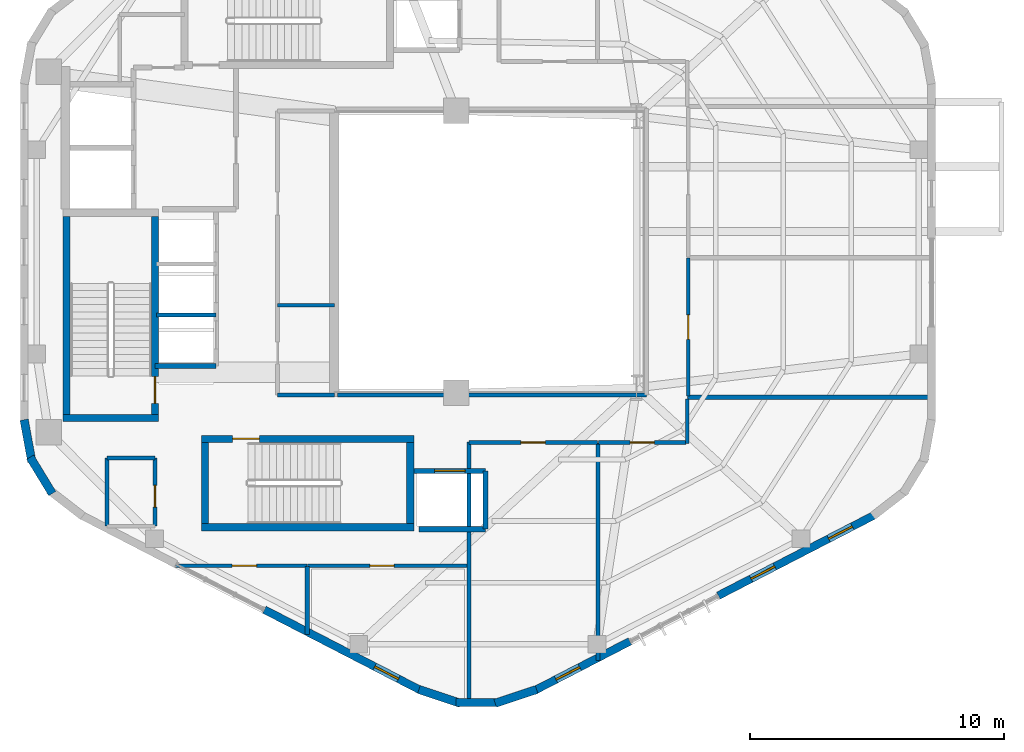
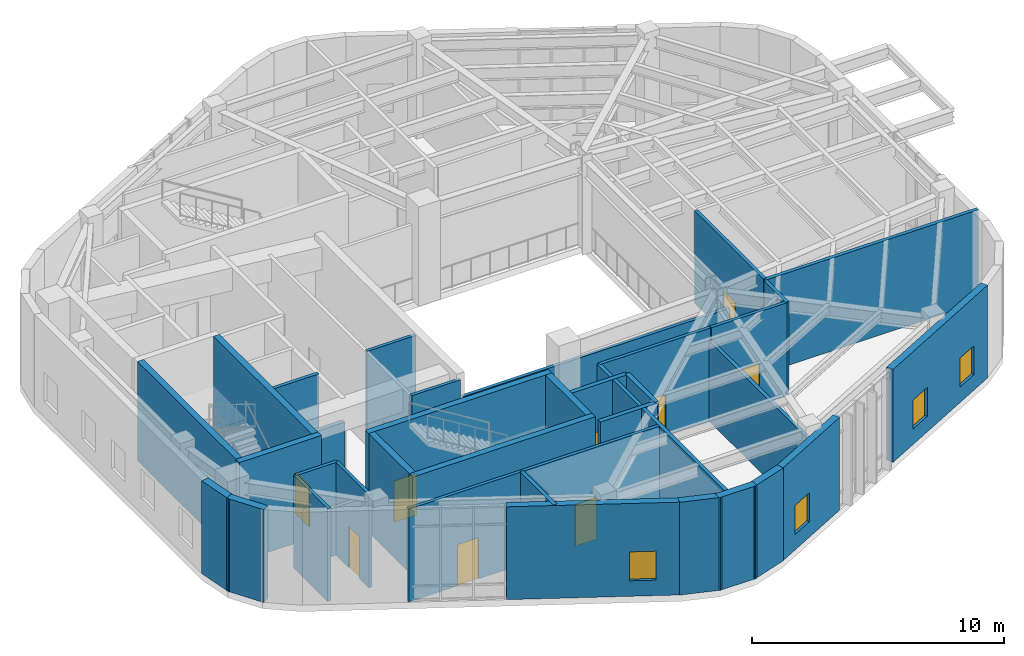
# One storey, part 14 of 18: 36 walls, 9 doors, 4 windows, 13 openings.
"""IFC4 building model written with IfcOpenShell, lengths in metres."""

from ifc_helpers import new_model, si_unit, direction, frame, frame_2d, origin, place, context, subcontext, project, spatial, rectangle, extrude, material, layer, layer_set, type_object, element, fill, save


model = new_model("IFC4")

# Units and contexts
model_context = context("Model", 3, precision=1e-05, world=origin(), true_north=direction((0.0, 1.0)))
body_context = subcontext(model_context, "Body", "Model", "MODEL_VIEW")
ifc_project = project(units=[si_unit("LENGTHUNIT", "METRE"), si_unit("AREAUNIT", "SQUARE_METRE"), si_unit("VOLUMEUNIT", "CUBIC_METRE"), si_unit("PLANEANGLEUNIT", "RADIAN"), si_unit("MASSUNIT", "GRAM", prefix="KILO"), si_unit("THERMODYNAMICTEMPERATUREUNIT", "KELVIN"), si_unit("POWERUNIT", "WATT")], contexts=[model_context])

# Site, building, storey
site_placement = place(None, origin())
site = spatial("IfcSite", under=ifc_project, at=site_placement, CompositionType="ELEMENT")
building_placement = place(site_placement, origin())
building = spatial("IfcBuilding", under=site, at=building_placement, Name="Skarre Station Tower", CompositionType="ELEMENT")
storey_placement = place(building_placement, frame((0.0, 0.0, 270.300048828125)))
storey = spatial("IfcBuildingStorey", under=building, at=storey_placement, Name="L74", CompositionType="ELEMENT", Elevation=270.300048828125)

# Walls
ifc_material_1 = material(Name="Acoustic Steel-Stud Gypsum Partition", Category="steel")
ifc_layer_1 = layer(ifc_material_1, 0.14990234375, Name="Acoustic Steel-Stud Gypsum Partition")
ifc_layer_set_1 = layer_set([ifc_layer_1], Name="Acoustic Steel-Stud Gypsum Partition")
wall_type_1 = type_object("IfcWallType", Name="Fire-Rated Corridor Acoustic Partition 150", PredefinedType="PARTITIONING", material=ifc_layer_set_1)
for number, where, z_axis, x_axis, name in (
    (1, (25.320068359375, 21.89990234375, 0.0), (0.0, 0.0, 1.0), (1.0, 0.0, 0.0), "L74 Interior Partition WL-PT-L74-RC2-M"),
    (2, (25.320068359375, 18.360107421875, 0.0), (0.0, 0.0, 1.0), (1.0, 0.0, 0.0), "L74 Interior Partition WL-PT-L74-RC2-S"),
):
    element("IfcWall", number, at=place(storey_placement, frame(where, z_axis=z_axis, x_axis=x_axis)), inside=storey, type_object=wall_type_1, Name=name, PredefinedType="PARTITIONING", context=body_context, shape_type="SweptSolid", body=[
        extrude(rectangle(XDim=2.22998046875, YDim=0.14990234375, at=frame_2d((1.114990234375, 0.0))), origin(), (0.0, 0.0, 1.0), 4.489990234375),
    ])
wall_1_placement = place(storey_placement, frame((18.60009765625, 15.8798828125, 0.0), z_axis=(0.0, 0.0, 1.0), x_axis=(0.0, -1.0, 0.0)))
element("IfcWall", 3, at=wall_1_placement, inside=storey, type_object=wall_type_1, Name="L74 Interior Partition WL-PT-L74-CSVC-W", PredefinedType="PARTITIONING", context=body_context, shape_type="SweptSolid", body=[
    extrude(rectangle(XDim=2.679931640625, YDim=0.14990234375, at=frame_2d((1.33984375, 0.0))), origin(), (0.0, 0.0, 1.0), 4.489990234375),
])
wall_2_placement = place(storey_placement, frame((18.60009765625, 15.8798828125, 0.0), z_axis=(0.0, 0.0, 1.0), x_axis=(1.0, 0.0, 0.0)))
element("IfcWall", 4, at=wall_2_placement, inside=storey, type_object=wall_type_1, Name="L74 Interior Partition WL-PT-L74-CSVC-N", PredefinedType="PARTITIONING", context=body_context, shape_type="SweptSolid", body=[
    extrude(rectangle(XDim=1.889892578125, YDim=0.14990234375, at=frame_2d((0.94482421875, 0.0))), origin(), (0.0, 0.0, 1.0), 4.489990234375),
])

# Wall, opening, door
wall_3_placement = place(storey_placement, frame((20.489990234375, 13.199951171875, 0.0), z_axis=(0.0, 0.0, 1.0), x_axis=(0.0, 1.0, 0.0)))
wall_3 = element("IfcWall", 5, at=wall_3_placement, inside=storey, type_object=wall_type_1, Name="L74 Interior Partition WL-PT-L74-CSVC-E", PredefinedType="PARTITIONING", context=body_context, shape_type="SweptSolid", body=[
    extrude(rectangle(XDim=2.679931640625, YDim=0.14990234375, at=frame_2d((1.33984375, 0.0))), origin(), (0.0, 0.0, 1.0), 4.489990234375),
])
opening_1_placement = place(wall_3_placement, frame((0.75, 0.0, 0.0)))
opening_1 = element("IfcOpeningElement", 6, at=opening_1_placement, cuts=wall_3, Name="Opening DR-SVC86", PredefinedType="OPENING", context=body_context, shape_type="SweptSolid", body=[
    extrude(rectangle(XDim=0.860107421875, YDim=2.0, at=frame_2d((0.43017578125, 1.0))), frame((0.0, 0.0849609375, 0.0), z_axis=(0.0, -1.0, 0.0), x_axis=(1.0, 0.0, 0.0)), (0.0, 0.0, 1.0), 0.169921875),
])
ifc_material_2 = material(Name="Powder-Coated Hollow-Metal Acoustic Fire Leaf", Category="steel")
door_type_1 = type_object("IfcDoorType", Name="Compact Riser Fire Door FD60 860x2100", OperationType="SINGLE_SWING_LEFT", PredefinedType="DOOR", material=ifc_material_2)
door_1_placement = place(opening_1_placement, origin())
door_1 = element("IfcDoor", 7, at=door_1_placement, inside=storey, type_object=door_type_1, Name="L74 Supply Room Door", OperationType="SINGLE_SWING_LEFT", OverallHeight=2.0, OverallWidth=0.860107421875, PredefinedType="DOOR", context=body_context, shape_type="SweptSolid", body=[
    extrude(rectangle(XDim=0.860107421875, YDim=2.0, at=frame_2d((0.43017578125, 1.0))), frame((0.0, 0.02490234375, 0.0), z_axis=(0.0, -1.0, 0.0), x_axis=(1.0, 0.0, 0.0)), (0.0, 0.0, 1.0), 0.050048828125),
])
fill(opening_1, door_1)

# Wall
wall_4_placement = place(storey_placement, frame((27.675048828125, 18.360107421875, 0.0), z_axis=(0.0, 0.0, 1.0), x_axis=(1.0, 0.0, 0.0)))
element("IfcWall", 8, at=wall_4_placement, inside=storey, type_object=wall_type_1, Name="L74 Interior Partition WL-PT-L74-ATRW-S", PredefinedType="PARTITIONING", context=body_context, shape_type="SweptSolid", body=[
    extrude(rectangle(XDim=12.1650390625, YDim=0.14990234375, at=frame_2d((6.08251953125, 0.0))), origin(), (0.0, 0.0, 1.0), 3.630859375),
])

# Wall, opening, door
wall_5_placement = place(storey_placement, frame((26.48291015625, 11.639892578125, 0.0), z_axis=(0.0, 0.0, 1.0), x_axis=(-1.0, 0.0, 0.0)))
wall_5 = element("IfcWall", 9, at=wall_5_placement, inside=storey, type_object=wall_type_1, Name="L74 Interior Partition WL-PT-L74-CRNSWP1-CW", PredefinedType="PARTITIONING", context=body_context, shape_type="SweptSolid", body=[
    extrude(rectangle(XDim=5.184814453125, YDim=0.14990234375, at=frame_2d((2.59228515625, 0.0))), origin(), (0.0, 0.0, 1.0), 4.489990234375),
])
opening_2_placement = place(wall_5_placement, frame((1.993896484375, 0.0, 0.0)))
opening_2 = element("IfcOpeningElement", 10, at=opening_2_placement, cuts=wall_5, Name="Opening DR-FD60", PredefinedType="OPENING", context=body_context, shape_type="SweptSolid", body=[
    extrude(rectangle(XDim=0.9599609375, YDim=2.0, at=frame_2d((0.47998046875, 1.0))), frame((0.0, 0.0849609375, 0.0), z_axis=(0.0, -1.0, 0.0), x_axis=(1.0, 0.0, 0.0)), (0.0, 0.0, 1.0), 0.169921875),
])
ifc_material_3 = material(Name="Nordic White-Oak Veneer Solid-Core Fire Leaf", Category="wood")
door_type_2 = type_object("IfcDoorType", Name="Corridor Suite Entry Fire Door FD60 960x2150", OperationType="SINGLE_SWING_LEFT", PredefinedType="DOOR", material=ifc_material_3)
door_2_placement = place(opening_2_placement, origin())
door_2 = element("IfcDoor", 11, at=door_2_placement, inside=storey, type_object=door_type_2, Name="L74 CRNSWP1 Entry Door", OperationType="SINGLE_SWING_LEFT", OverallHeight=2.0, OverallWidth=0.9599609375, PredefinedType="DOOR", context=body_context, shape_type="SweptSolid", body=[
    extrude(rectangle(XDim=0.9599609375, YDim=2.0, at=frame_2d((0.47998046875, 1.0))), frame((0.0, 0.02490234375, 0.0), z_axis=(0.0, -1.0, 0.0), x_axis=(1.0, 0.0, 0.0)), (0.0, 0.0, 1.0), 0.050048828125),
])
fill(opening_2, door_2)

wall_6_placement = place(storey_placement, frame((32.77294921875, 11.639892578125, 0.0), z_axis=(0.0, 0.0, 1.0), x_axis=(-1.0, 0.0, 0.0)))
wall_6 = element("IfcWall", 12, at=wall_6_placement, inside=storey, type_object=wall_type_1, Name="L74 Interior Partition WL-PT-L74-CRNSWP2-CW", PredefinedType="PARTITIONING", context=body_context, shape_type="SweptSolid", body=[
    extrude(rectangle(XDim=6.280029296875, YDim=0.14990234375, at=frame_2d((3.14013671875, 0.0))), origin(), (0.0, 0.0, 1.0), 4.489990234375),
])
opening_3_placement = place(wall_6_placement, frame((2.864990234375, 0.0, 0.0)))
opening_3 = element("IfcOpeningElement", 13, at=opening_3_placement, cuts=wall_6, Name="Opening DR-FD60", PredefinedType="OPENING", context=body_context, shape_type="SweptSolid", body=[
    extrude(rectangle(XDim=0.9599609375, YDim=2.0, at=frame_2d((0.47998046875, 1.0))), frame((0.0, 0.0849609375, 0.0), z_axis=(0.0, -1.0, 0.0), x_axis=(1.0, 0.0, 0.0)), (0.0, 0.0, 1.0), 0.169921875),
])
door_3_placement = place(opening_3_placement, origin())
door_3 = element("IfcDoor", 14, at=door_3_placement, inside=storey, type_object=door_type_2, Name="L74 CRNSWP2 Entry Door", OperationType="SINGLE_SWING_LEFT", OverallHeight=2.0, OverallWidth=0.9599609375, PredefinedType="DOOR", context=body_context, shape_type="SweptSolid", body=[
    extrude(rectangle(XDim=0.9599609375, YDim=2.0, at=frame_2d((0.47998046875, 1.0))), frame((0.0, 0.02490234375, 0.0), z_axis=(0.0, -1.0, 0.0), x_axis=(1.0, 0.0, 0.0)), (0.0, 0.0, 1.0), 0.050048828125),
])
fill(opening_3, door_3)

wall_7_placement = place(storey_placement, frame((41.489990234375, 18.320068359375, 0.0), z_axis=(0.0, 0.0, 1.0), x_axis=(0.0, 1.0, 0.0)))
wall_7 = element("IfcWall", 15, at=wall_7_placement, inside=storey, type_object=wall_type_1, Name="L74 Interior Partition WL-PT-L74-CRNE1-CW", PredefinedType="PARTITIONING", context=body_context, shape_type="SweptSolid", body=[
    extrude(rectangle(XDim=5.434814453125, YDim=0.14990234375, at=frame_2d((2.71728515625, 0.0))), origin(), (0.0, 0.0, 1.0), 4.489990234375),
])
opening_4_placement = place(wall_7_placement, frame((2.238037109375, 0.0, 0.0)))
opening_4 = element("IfcOpeningElement", 16, at=opening_4_placement, cuts=wall_7, Name="Opening DR-FD60", PredefinedType="OPENING", context=body_context, shape_type="SweptSolid", body=[
    extrude(rectangle(XDim=0.9599609375, YDim=2.0, at=frame_2d((0.47998046875, 1.0))), frame((0.0, 0.0849609375, 0.0), z_axis=(0.0, -1.0, 0.0), x_axis=(1.0, 0.0, 0.0)), (0.0, 0.0, 1.0), 0.169921875),
])
door_4_placement = place(opening_4_placement, origin())
door_4 = element("IfcDoor", 17, at=door_4_placement, inside=storey, type_object=door_type_2, Name="L74 CRNE1 Entry Door", OperationType="SINGLE_SWING_LEFT", OverallHeight=2.0, OverallWidth=0.9599609375, PredefinedType="DOOR", context=body_context, shape_type="SweptSolid", body=[
    extrude(rectangle(XDim=0.9599609375, YDim=2.0, at=frame_2d((0.47998046875, 1.0))), frame((0.0, 0.02490234375, 0.0), z_axis=(0.0, -1.0, 0.0), x_axis=(1.0, 0.0, 0.0)), (0.0, 0.0, 1.0), 0.050048828125),
])
fill(opening_4, door_4)

# Wall
wall_8_placement = place(storey_placement, frame((41.449951171875, 16.4599609375, 0.0), z_axis=(0.0, 0.0, 1.0), x_axis=(0.0, 1.0, 0.0)))
element("IfcWall", 18, at=wall_8_placement, inside=storey, type_object=wall_type_1, Name="L74 Interior Partition WL-PT-L74-CRNS-ERET", PredefinedType="PARTITIONING", context=body_context, shape_type="SweptSolid", body=[
    extrude(rectangle(XDim=1.741943359375, YDim=0.14990234375, at=frame_2d((0.87109375, 0.0))), origin(), (0.0, 0.0, 1.0), 4.489990234375),
])

# Wall, opening, door
wall_9_placement = place(storey_placement, frame((32.85009765625, 16.5, 0.0), z_axis=(0.0, 0.0, 1.0), x_axis=(1.0, 0.0, 0.0)))
wall_9 = element("IfcWall", 19, at=wall_9_placement, inside=storey, type_object=wall_type_1, Name="L74 Interior Partition WL-PT-L74-CRNS1-CW", PredefinedType="PARTITIONING", context=body_context, shape_type="SweptSolid", body=[
    extrude(rectangle(XDim=5.060791015625, YDim=0.14990234375, at=frame_2d((2.5302734375, 0.0))), origin(), (0.0, 0.0, 1.0), 4.489990234375),
])
opening_5_placement = place(wall_9_placement, frame((2.051025390625, 0.0, 0.0)))
opening_5 = element("IfcOpeningElement", 20, at=opening_5_placement, cuts=wall_9, Name="Opening DR-FD60", PredefinedType="OPENING", context=body_context, shape_type="SweptSolid", body=[
    extrude(rectangle(XDim=0.9599609375, YDim=2.0, at=frame_2d((0.47998046875, 1.0))), frame((0.0, 0.0849609375, 0.0), z_axis=(0.0, -1.0, 0.0), x_axis=(1.0, 0.0, 0.0)), (0.0, 0.0, 1.0), 0.169921875),
])
door_5_placement = place(opening_5_placement, origin())
door_5 = element("IfcDoor", 21, at=door_5_placement, inside=storey, type_object=door_type_2, Name="L74 CRNS1 Entry Door", OperationType="SINGLE_SWING_LEFT", OverallHeight=2.0, OverallWidth=0.9599609375, PredefinedType="DOOR", context=body_context, shape_type="SweptSolid", body=[
    extrude(rectangle(XDim=0.9599609375, YDim=2.0, at=frame_2d((0.47998046875, 1.0))), frame((0.0, 0.02490234375, 0.0), z_axis=(0.0, -1.0, 0.0), x_axis=(1.0, 0.0, 0.0)), (0.0, 0.0, 1.0), 0.050048828125),
])
fill(opening_5, door_5)

wall_10_placement = place(storey_placement, frame((37.947021484375, 16.5, 0.0), z_axis=(0.0, 0.0, 1.0), x_axis=(1.0, 0.0, 0.0)))
wall_10 = element("IfcWall", 22, at=wall_10_placement, inside=storey, type_object=wall_type_1, Name="L74 Interior Partition WL-PT-L74-CRNS2-CW", PredefinedType="PARTITIONING", context=body_context, shape_type="SweptSolid", body=[
    extrude(rectangle(XDim=3.452880859375, YDim=0.14990234375, at=frame_2d((1.7265625, 0.0))), origin(), (0.0, 0.0, 1.0), 4.489990234375),
])
opening_6_placement = place(wall_10_placement, frame((1.2470703125, 0.0, 0.0)))
opening_6 = element("IfcOpeningElement", 23, at=opening_6_placement, cuts=wall_10, Name="Opening DR-FD60", PredefinedType="OPENING", context=body_context, shape_type="SweptSolid", body=[
    extrude(rectangle(XDim=0.9599609375, YDim=2.0, at=frame_2d((0.47998046875, 1.0))), frame((0.0, 0.0849609375, 0.0), z_axis=(0.0, -1.0, 0.0), x_axis=(1.0, 0.0, 0.0)), (0.0, 0.0, 1.0), 0.169921875),
])
door_6_placement = place(opening_6_placement, origin())
door_6 = element("IfcDoor", 24, at=door_6_placement, inside=storey, type_object=door_type_2, Name="L74 CRNS2 Entry Door", OperationType="SINGLE_SWING_LEFT", OverallHeight=2.0, OverallWidth=0.9599609375, PredefinedType="DOOR", context=body_context, shape_type="SweptSolid", body=[
    extrude(rectangle(XDim=0.9599609375, YDim=2.0, at=frame_2d((0.47998046875, 1.0))), frame((0.0, 0.02490234375, 0.0), z_axis=(0.0, -1.0, 0.0), x_axis=(1.0, 0.0, 0.0)), (0.0, 0.0, 1.0), 0.050048828125),
])
fill(opening_6, door_6)

# Walls
ifc_material_4 = material(Name="Precast concrete C45/55", Category="concrete")
ifc_layer_2 = layer(ifc_material_4, 0.330078125, Name="Precast concrete C45/55")
ifc_layer_set_2 = layer_set([ifc_layer_2], Name="Precast concrete C45/55")
wall_type_2 = type_object("IfcWallType", Name="Nordic Rounded Corner Precast Wall 330", PredefinedType="STANDARD", material=ifc_layer_set_2)
wall_11_placement = place(storey_placement, frame((16.447021484375, 14.485107421875, 0.0), z_axis=(0.0, 0.0, 1.0), x_axis=(-0.520325409202, 0.853968072318, 0.0)))
element("IfcWall", 25, at=wall_11_placement, inside=storey, type_object=wall_type_2, Name="L74 Rounded Corner Precast Wall F3-2", PredefinedType="STANDARD", context=body_context, shape_type="SweptSolid", body=[
    extrude(rectangle(XDim=1.677978515625, YDim=0.330078125, at=frame_2d((0.8388671875, 0.0))), origin(), (0.0, 0.0, 1.0), 4.489990234375),
])
wall_12_placement = place(storey_placement, frame((15.64111328125, 15.742919921875, 0.0), z_axis=(0.0, 0.0, 1.0), x_axis=(-0.180832605401, 0.983513888475, 0.0)))
element("IfcWall", 26, at=wall_12_placement, inside=storey, type_object=wall_type_2, Name="L74 Rounded Corner Precast Wall F3-3", PredefinedType="STANDARD", context=body_context, shape_type="SweptSolid", body=[
    extrude(rectangle(XDim=1.6767578125, YDim=0.330078125, at=frame_2d((0.83837890625, 0.0))), origin(), (0.0, 0.0, 1.0), 4.489990234375),
])
wall_13_placement = place(storey_placement, frame((35.51806640625, 6.76904296875, 0.0), z_axis=(0.0, 0.0, 1.0), x_axis=(-0.949713440491, -0.313120393699, 0.0)))
element("IfcWall", 27, at=wall_13_placement, inside=storey, type_object=wall_type_2, Name="L74 Rounded Corner Precast Wall F4-1", PredefinedType="STANDARD", context=body_context, shape_type="SweptSolid", body=[
    extrude(rectangle(XDim=1.7216796875, YDim=0.330078125, at=frame_2d((0.86083984375, 0.0))), origin(), (0.0, 0.0, 1.0), 4.489990234375),
])
wall_14_placement = place(storey_placement, frame((34.06103515625, 6.259033203125, 0.0), z_axis=(0.0, 0.0, 1.0), x_axis=(-1.0, 0.0, 0.0)))
element("IfcWall", 28, at=wall_14_placement, inside=storey, type_object=wall_type_2, Name="L74 Rounded Corner Precast Wall F4-2", PredefinedType="STANDARD", context=body_context, shape_type="SweptSolid", body=[
    extrude(rectangle(XDim=1.721923828125, YDim=0.330078125, at=frame_2d((0.86083984375, 0.0))), origin(), (0.0, 0.0, 1.0), 4.489990234375),
])
wall_15_placement = place(storey_placement, frame((32.51708984375, 6.22998046875, 0.0), z_axis=(0.0, 0.0, 1.0), x_axis=(-0.949713440491, 0.313120393699, 0.0)))
element("IfcWall", 29, at=wall_15_placement, inside=storey, type_object=wall_type_2, Name="L74 Rounded Corner Precast Wall F4-3", PredefinedType="STANDARD", context=body_context, shape_type="SweptSolid", body=[
    extrude(rectangle(XDim=1.7216796875, YDim=0.330078125, at=frame_2d((0.86083984375, 0.0))), origin(), (0.0, 0.0, 1.0), 4.489990234375),
])

# Wall, opening, window
ifc_layer_3 = layer(ifc_material_4, 0.31005859375, Name="Precast concrete C45/55")
ifc_layer_set_3 = layer_set([ifc_layer_3], Name="Precast concrete C45/55")
wall_type_3 = type_object("IfcWallType", Name="Nordic Upper-Zone Precast Facet Wall 310", PredefinedType="STANDARD", material=ifc_layer_set_3)
wall_16_placement = place(storey_placement, frame((30.962890625, 6.72998046875, 0.0), z_axis=(0.0, 0.0, 1.0), x_axis=(-0.888615566095, 0.458652783371, 0.0)))
wall_16 = element("IfcWall", 30, at=wall_16_placement, inside=storey, type_object=wall_type_3, Name="L74 Facet 3 Pier A", PredefinedType="STANDARD", context=body_context, shape_type="SweptSolid", body=[
    extrude(rectangle(XDim=6.935302734375, YDim=0.31005859375, at=frame_2d((3.4677734375, 0.0))), origin(), (0.0, 0.0, 1.0), 4.489990234375),
])
opening_7_placement = place(wall_16_placement, frame((0.998046875, 0.0, 0.75)))
opening_7 = element("IfcOpeningElement", 31, at=opening_7_placement, cuts=wall_16, Name="Opening WN-SLT", PredefinedType="OPENING", context=body_context, shape_type="SweptSolid", body=[
    extrude(rectangle(XDim=1.050048828125, YDim=1.39990234375, at=frame_2d((0.52490234375, 0.699951171875))), frame((0.0, 0.1650390625, 0.0), z_axis=(0.0, -1.0, 0.0), x_axis=(1.0, 0.0, 0.0)), (0.0, 0.0, 1.0), 0.330078125),
])
ifc_material_5 = material(Name="Low-Iron Triple Glazing with Bronze Anodized Frame", Category="glass")
window_type = type_object("IfcWindowType", Name="Nordic Corner Slot Window 1050x1400", PartitioningType="SINGLE_PANEL", PredefinedType="WINDOW", material=ifc_material_5)
window_1_placement = place(opening_7_placement, origin())
window_1 = element("IfcWindow", 32, at=window_1_placement, inside=storey, type_object=window_type, Name="L74 Facade Window WL-FAC-L74-F3A-1", OverallHeight=1.39990234375, OverallWidth=1.050048828125, PartitioningType="SINGLE_PANEL", PredefinedType="WINDOW", context=body_context, shape_type="SweptSolid", body=[
    extrude(rectangle(XDim=1.050048828125, YDim=1.39990234375, at=frame_2d((0.52490234375, 0.699951171875))), frame((0.0, 0.030029296875, 0.0), z_axis=(0.0, -1.0, 0.0), x_axis=(1.0, 0.0, 0.0)), (0.0, 0.0, 1.0), 0.06005859375),
])
fill(opening_7, window_1)

# Wall, openings, windows
wall_17_placement = place(storey_placement, frame((48.833984375, 13.64599609375, 0.0), z_axis=(0.0, 0.0, 1.0), x_axis=(-0.888622971019, -0.458638436437, 0.0)))
wall_17 = element("IfcWall", 33, at=wall_17_placement, inside=storey, type_object=wall_type_3, Name="L74 Facet 4 Pier A", PredefinedType="STANDARD", context=body_context, shape_type="SweptSolid", body=[
    extrude(rectangle(XDim=6.935546875, YDim=0.31005859375, at=frame_2d((3.4677734375, 0.0))), origin(), (0.0, 0.0, 1.0), 4.489990234375),
])
opening_8_placement = place(wall_17_placement, frame((0.998046875, 0.0, 0.75)))
opening_8 = element("IfcOpeningElement", 34, at=opening_8_placement, cuts=wall_17, Name="Opening WN-SLT", PredefinedType="OPENING", context=body_context, shape_type="SweptSolid", body=[
    extrude(rectangle(XDim=1.050048828125, YDim=1.39990234375, at=frame_2d((0.52490234375, 0.699951171875))), frame((0.0, 0.1650390625, 0.0), z_axis=(0.0, -1.0, 0.0), x_axis=(1.0, 0.0, 0.0)), (0.0, 0.0, 1.0), 0.330078125),
])
opening_9_placement = place(wall_17_placement, frame((4.43603515625, 0.0, 0.75)))
opening_9 = element("IfcOpeningElement", 35, at=opening_9_placement, cuts=wall_17, Name="Opening WN-SLT", PredefinedType="OPENING", context=body_context, shape_type="SweptSolid", body=[
    extrude(rectangle(XDim=1.050048828125, YDim=1.39990234375, at=frame_2d((0.52490234375, 0.699951171875))), frame((0.0, 0.1650390625, 0.0), z_axis=(0.0, -1.0, 0.0), x_axis=(1.0, 0.0, 0.0)), (0.0, 0.0, 1.0), 0.330078125),
])
window_2_placement = place(opening_8_placement, origin())
window_2 = element("IfcWindow", 36, at=window_2_placement, inside=storey, type_object=window_type, Name="L74 Facade Window WL-FAC-L74-F4A-1", OverallHeight=1.39990234375, OverallWidth=1.050048828125, PartitioningType="SINGLE_PANEL", PredefinedType="WINDOW", context=body_context, shape_type="SweptSolid", body=[
    extrude(rectangle(XDim=1.050048828125, YDim=1.39990234375, at=frame_2d((0.52490234375, 0.699951171875))), frame((0.0, 0.030029296875, 0.0), z_axis=(0.0, -1.0, 0.0), x_axis=(1.0, 0.0, 0.0)), (0.0, 0.0, 1.0), 0.06005859375),
])
fill(opening_8, window_2)
window_3_placement = place(opening_9_placement, origin())
window_3 = element("IfcWindow", 37, at=window_3_placement, inside=storey, type_object=window_type, Name="L74 Facade Window WL-FAC-L74-F4A-2", OverallHeight=1.39990234375, OverallWidth=1.050048828125, PartitioningType="SINGLE_PANEL", PredefinedType="WINDOW", context=body_context, shape_type="SweptSolid", body=[
    extrude(rectangle(XDim=1.050048828125, YDim=1.39990234375, at=frame_2d((0.52490234375, 0.699951171875))), frame((0.0, 0.030029296875, 0.0), z_axis=(0.0, -1.0, 0.0), x_axis=(1.0, 0.0, 0.0)), (0.0, 0.0, 1.0), 0.06005859375),
])
fill(opening_9, window_3)

# Wall, opening, window
wall_18_placement = place(storey_placement, frame((39.18798828125, 8.666015625, 0.0), z_axis=(0.0, 0.0, 1.0), x_axis=(-0.888616094641, -0.45865175934, 0.0)))
wall_18 = element("IfcWall", 38, at=wall_18_placement, inside=storey, type_object=wall_type_3, Name="L74 Facet 4 Pier B", PredefinedType="STANDARD", context=body_context, shape_type="SweptSolid", body=[
    extrude(rectangle(XDim=4.22119140625, YDim=0.31005859375, at=frame_2d((2.110595703125, 0.0))), origin(), (0.0, 0.0, 1.0), 4.489990234375),
])
opening_10_placement = place(wall_18_placement, frame((2.221923828125, 0.0, 0.75)))
opening_10 = element("IfcOpeningElement", 39, at=opening_10_placement, cuts=wall_18, Name="Opening WN-SLT", PredefinedType="OPENING", context=body_context, shape_type="SweptSolid", body=[
    extrude(rectangle(XDim=1.050048828125, YDim=1.39990234375, at=frame_2d((0.52490234375, 0.699951171875))), frame((0.0, 0.1650390625, 0.0), z_axis=(0.0, -1.0, 0.0), x_axis=(1.0, 0.0, 0.0)), (0.0, 0.0, 1.0), 0.330078125),
])
window_4_placement = place(opening_10_placement, origin())
window_4 = element("IfcWindow", 40, at=window_4_placement, inside=storey, type_object=window_type, Name="L74 Facade Window WL-FAC-L74-F4B-1", OverallHeight=1.39990234375, OverallWidth=1.050048828125, PartitioningType="SINGLE_PANEL", PredefinedType="WINDOW", context=body_context, shape_type="SweptSolid", body=[
    extrude(rectangle(XDim=1.050048828125, YDim=1.39990234375, at=frame_2d((0.52490234375, 0.699951171875))), frame((0.0, 0.030029296875, 0.0), z_axis=(0.0, -1.0, 0.0), x_axis=(1.0, 0.0, 0.0)), (0.0, 0.0, 1.0), 0.06005859375),
])
fill(opening_10, window_4)

# Walls
ifc_material_6 = material(Name="Concrete C50/60", Category="concrete")
ifc_layer_4 = layer(ifc_material_6, 0.280029296875, Name="Concrete C50/60")
ifc_layer_set_4 = layer_set([ifc_layer_4], Name="Concrete C50/60")
wall_type_4 = type_object("IfcWallType", Name="RC Core Shear Wall 280", PredefinedType="SHEAR", material=ifc_layer_set_4)
wall_19_placement = place(storey_placement, frame((16.8701171875, 17.4599609375, 0.0), z_axis=(0.0, 0.0, 1.0), x_axis=(1.0, 0.0, 0.0)))
element("IfcWall", 41, at=wall_19_placement, inside=storey, type_object=wall_type_4, Name="L74 Stair ST-1 South Shear Wall", PredefinedType="SHEAR", context=body_context, shape_type="SweptSolid", body=[
    extrude(rectangle(XDim=3.759765625, YDim=0.280029296875, at=frame_2d((1.8798828125, 0.0))), origin(), (0.0, 0.0, 1.0), 4.800048828125),
])
wall_20_placement = place(storey_placement, frame((17.010009765625, 25.39990234375, 0.0), z_axis=(0.0, 0.0, 1.0), x_axis=(0.0, -1.0, 0.0)))
element("IfcWall", 42, at=wall_20_placement, inside=storey, type_object=wall_type_4, Name="L74 Stair ST-1 West Shear Wall", PredefinedType="SHEAR", context=body_context, shape_type="SweptSolid", body=[
    extrude(rectangle(XDim=7.7998046875, YDim=0.280029296875, at=frame_2d((3.89990234375, 0.0))), origin(), (0.0, 0.0, 1.0), 4.800048828125),
])

# Wall, opening, door
wall_21_placement = place(storey_placement, frame((20.489990234375, 17.60009765625, 0.0), z_axis=(0.0, 0.0, 1.0), x_axis=(0.0, 1.0, 0.0)))
wall_21 = element("IfcWall", 43, at=wall_21_placement, inside=storey, type_object=wall_type_4, Name="L74 Stair ST-1 East Shear Wall", PredefinedType="SHEAR", context=body_context, shape_type="SweptSolid", body=[
    extrude(rectangle(XDim=7.7998046875, YDim=0.280029296875, at=frame_2d((3.89990234375, 0.0))), origin(), (0.0, 0.0, 1.0), 4.800048828125),
])
opening_11_placement = place(wall_21_placement, frame((0.43994140625, 0.0, 0.0)))
opening_11 = element("IfcOpeningElement", 44, at=opening_11_placement, cuts=wall_21, Name="Opening DR-FD90", PredefinedType="OPENING", context=body_context, shape_type="SweptSolid", body=[
    extrude(rectangle(XDim=1.050048828125, YDim=2.0, at=frame_2d((0.52490234375, 1.0))), frame((0.0, 0.14990234375, 0.0), z_axis=(0.0, -1.0, 0.0), x_axis=(1.0, 0.0, 0.0)), (0.0, 0.0, 1.0), 0.300048828125),
])
ifc_material_7 = material(Name="Fire-Rated Insulated Steel Frame & Timber Core Leaf", Category="steel")
door_type_3 = type_object("IfcDoorType", Name="Stair & FSAE Lobby Fire Door FD90 1050x2150", OperationType="SINGLE_SWING_RIGHT", PredefinedType="DOOR", material=ifc_material_7)
door_7_placement = place(opening_11_placement, origin())
door_7 = element("IfcDoor", 45, at=door_7_placement, inside=storey, type_object=door_type_3, Name="L74 Stair ST-1 Exit Door", OperationType="SINGLE_SWING_RIGHT", OverallHeight=2.0, OverallWidth=1.050048828125, PredefinedType="DOOR", context=body_context, shape_type="SweptSolid", body=[
    extrude(rectangle(XDim=1.050048828125, YDim=2.0, at=frame_2d((0.52490234375, 1.0))), frame((0.0, 0.02490234375, 0.0), z_axis=(0.0, -1.0, 0.0), x_axis=(1.0, 0.0, 0.0)), (0.0, 0.0, 1.0), 0.050048828125),
])
fill(opening_11, door_7)

# Wall
wall_22_placement = place(storey_placement, frame((22.320068359375, 13.159912109375, 0.0), z_axis=(0.0, 0.0, 1.0), x_axis=(1.0, 0.0, 0.0)))
element("IfcWall", 46, at=wall_22_placement, inside=storey, type_object=wall_type_4, Name="L74 Stair ST-2 South Shear Wall", PredefinedType="SHEAR", context=body_context, shape_type="SweptSolid", body=[
    extrude(rectangle(XDim=8.35986328125, YDim=0.280029296875, at=frame_2d((4.179931640625, 0.0))), origin(), (0.0, 0.0, 1.0), 4.800048828125),
])

# Wall, opening, door
wall_23_placement = place(storey_placement, frame((30.679931640625, 16.639892578125, 0.0), z_axis=(0.0, 0.0, 1.0), x_axis=(-1.0, 0.0, 0.0)))
wall_23 = element("IfcWall", 47, at=wall_23_placement, inside=storey, type_object=wall_type_4, Name="L74 Stair ST-2 North Shear Wall", PredefinedType="SHEAR", context=body_context, shape_type="SweptSolid", body=[
    extrude(rectangle(XDim=8.35986328125, YDim=0.280029296875, at=frame_2d((4.179931640625, 0.0))), origin(), (0.0, 0.0, 1.0), 4.800048828125),
])
opening_12_placement = place(wall_23_placement, frame((6.080078125, 0.0, 0.0)))
opening_12 = element("IfcOpeningElement", 48, at=opening_12_placement, cuts=wall_23, Name="Opening DR-FD90", PredefinedType="OPENING", context=body_context, shape_type="SweptSolid", body=[
    extrude(rectangle(XDim=1.050048828125, YDim=2.0, at=frame_2d((0.52490234375, 1.0))), frame((0.0, 0.14990234375, 0.0), z_axis=(0.0, -1.0, 0.0), x_axis=(1.0, 0.0, 0.0)), (0.0, 0.0, 1.0), 0.300048828125),
])
door_8_placement = place(opening_12_placement, origin())
door_8 = element("IfcDoor", 49, at=door_8_placement, inside=storey, type_object=door_type_3, Name="L74 Stair ST-2 Exit Door", OperationType="SINGLE_SWING_RIGHT", OverallHeight=2.0, OverallWidth=1.050048828125, PredefinedType="DOOR", context=body_context, shape_type="SweptSolid", body=[
    extrude(rectangle(XDim=1.050048828125, YDim=2.0, at=frame_2d((0.52490234375, 1.0))), frame((0.0, 0.02490234375, 0.0), z_axis=(0.0, -1.0, 0.0), x_axis=(1.0, 0.0, 0.0)), (0.0, 0.0, 1.0), 0.050048828125),
])
fill(opening_12, door_8)

# Walls
for number, where, z_axis, x_axis, name in (
    (50, (22.4599609375, 16.5, 0.0), (0.0, 0.0, 1.0), (0.0, -1.0, 0.0), "L74 Stair ST-2 West Shear Wall"),
    (51, (30.5400390625, 13.300048828125, 0.0), (0.0, 0.0, 1.0), (0.0, 1.0, 0.0), "L74 Stair ST-2 East Shear Wall"),
):
    element("IfcWall", number, at=place(storey_placement, frame(where, z_axis=z_axis, x_axis=x_axis)), inside=storey, type_object=wall_type_4, Name=name, PredefinedType="SHEAR", context=body_context, shape_type="SweptSolid", body=[
        extrude(rectangle(XDim=3.199951171875, YDim=0.280029296875, at=frame_2d((1.60009765625, 0.0))), origin(), (0.0, 0.0, 1.0), 4.800048828125),
    ])

# Wall, opening, door
ifc_material_8 = material(Name="Gypsum Concrete Shaft Assembly C30/37", Category="concrete")
ifc_layer_5 = layer(ifc_material_8, 0.199951171875, Name="Gypsum Concrete Shaft Assembly C30/37")
ifc_layer_set_5 = layer_set([ifc_layer_5], Name="Gypsum Concrete Shaft Assembly C30/37")
wall_type_5 = type_object("IfcWallType", Name="Shaft & Core Fire Partition 200", PredefinedType="PARTITIONING", material=ifc_layer_set_5)
wall_24_placement = place(storey_placement, frame((33.5, 15.3798828125, 0.0), z_axis=(0.0, 0.0, 1.0), x_axis=(-1.0, 0.0, 0.0)))
wall_24 = element("IfcWall", 52, at=wall_24_placement, inside=storey, type_object=wall_type_5, Name="L74 Interior Partition WL-PT-L74-SV1-N", PredefinedType="PARTITIONING", context=body_context, shape_type="SweptSolid", body=[
    extrude(rectangle(XDim=2.820068359375, YDim=0.199951171875, at=frame_2d((1.41015625, 0.0))), origin(), (0.0, 0.0, 1.0), 4.489990234375),
])
opening_13_placement = place(wall_24_placement, frame((0.800048828125, 0.0, 0.0)))
opening_13 = element("IfcOpeningElement", 53, at=opening_13_placement, cuts=wall_24, Name="Opening LD-SV1", PredefinedType="OPENING", context=body_context, shape_type="SweptSolid", body=[
    extrude(rectangle(XDim=1.199951171875, YDim=2.199951171875, at=frame_2d((0.60009765625, 1.10009765625))), frame((0.0, 0.10986328125, 0.0), z_axis=(0.0, -1.0, 0.0), x_axis=(1.0, 0.0, 0.0)), (0.0, 0.0, 1.0), 0.219970703125),
])
ifc_material_9 = material(Name="Heavy-Gauge Brushed Stainless Steel Sliding Leaves", Category="steel")
door_type_4 = type_object("IfcDoorType", Name="Service Elevator Wide Sliding Landing Door 1200x2200", OperationType="SLIDING_TO_RIGHT", PredefinedType="DOOR", material=ifc_material_9)
door_9_placement = place(opening_13_placement, origin())
door_9 = element("IfcDoor", 54, at=door_9_placement, inside=storey, type_object=door_type_4, Name="L74 Service Lift LF-SV1 Landing Door", OperationType="SLIDING_TO_RIGHT", OverallHeight=2.199951171875, OverallWidth=1.199951171875, PredefinedType="DOOR", context=body_context, shape_type="SweptSolid", body=[
    extrude(rectangle(XDim=1.199951171875, YDim=2.199951171875, at=frame_2d((0.60009765625, 1.10009765625))), frame((0.0, 0.02490234375, 0.0), z_axis=(0.0, -1.0, 0.0), x_axis=(1.0, 0.0, 0.0)), (0.0, 0.0, 1.0), 0.050048828125),
])
fill(opening_13, door_9)

# Walls
wall_25_placement = place(storey_placement, frame((33.5, 13.080078125, 0.0), z_axis=(0.0, 0.0, 1.0), x_axis=(0.0, 1.0, 0.0)))
element("IfcWall", 55, at=wall_25_placement, inside=storey, type_object=wall_type_5, Name="L74 Interior Partition WL-PT-L74-SV1-E", PredefinedType="PARTITIONING", context=body_context, shape_type="SweptSolid", body=[
    extrude(rectangle(XDim=2.2998046875, YDim=0.199951171875, at=frame_2d((1.14990234375, 0.0))), origin(), (0.0, 0.0, 1.0), 4.489990234375),
])
wall_26_placement = place(storey_placement, frame((30.87890625, 13.080078125, 0.0), z_axis=(0.0, 0.0, 1.0), x_axis=(1.0, 0.0, 0.0)))
element("IfcWall", 56, at=wall_26_placement, inside=storey, type_object=wall_type_5, Name="L74 Interior Partition WL-PT-L74-SV1-S", PredefinedType="PARTITIONING", context=body_context, shape_type="SweptSolid", body=[
    extrude(rectangle(XDim=2.62109375, YDim=0.199951171875, at=frame_2d((1.310546875, 0.0))), origin(), (0.0, 0.0, 1.0), 4.489990234375),
])
wall_27_placement = place(storey_placement, frame((20.489990234375, 19.5, 0.0), z_axis=(0.0, 0.0, 1.0), x_axis=(1.0, 0.0, 0.0)))
element("IfcWall", 57, at=wall_27_placement, inside=storey, type_object=wall_type_5, Name="L74 Interior Partition WL-PT-L74-B3-S", PredefinedType="PARTITIONING", context=body_context, shape_type="SweptSolid", body=[
    extrude(rectangle(XDim=2.409912109375, YDim=0.199951171875, at=frame_2d((1.205078125, 0.0))), origin(), (0.0, 0.0, 1.0), 3.389892578125),
])
wall_28_placement = place(storey_placement, frame((20.550048828125, 21.52001953125, 0.0), z_axis=(0.0, 0.0, 1.0), x_axis=(1.0, 0.0, 0.0)))
element("IfcWall", 58, at=wall_28_placement, inside=storey, type_object=wall_type_5, Name="L74 Interior Partition WL-PT-L74-B3-D1", PredefinedType="PARTITIONING", context=body_context, shape_type="SweptSolid", body=[
    extrude(rectangle(XDim=2.349853515625, YDim=0.159912109375, at=frame_2d((1.1748046875, 0.0))), origin(), (0.0, 0.0, 1.0), 4.489990234375),
])
ifc_layer_6 = layer(ifc_material_1, 0.1650390625, Name="Acoustic Steel-Stud Gypsum Partition")
ifc_layer_set_6 = layer_set([ifc_layer_6], Name="Acoustic Steel-Stud Gypsum Partition")
wall_type_6 = type_object("IfcWallType", Name="Suite Demising Acoustic Partition 165", PredefinedType="PARTITIONING", material=ifc_layer_set_6)
wall_29_placement = place(storey_placement, frame((32.85009765625, 6.1240234375, 0.0), z_axis=(0.0, 0.0, 1.0), x_axis=(0.0, 1.0, 0.0)))
element("IfcWall", 59, at=wall_29_placement, inside=storey, type_object=wall_type_6, Name="L74 Interior Partition WL-PT-L74-CRNSWP-E", PredefinedType="PARTITIONING", context=body_context, shape_type="SweptSolid", body=[
    extrude(rectangle(XDim=10.39599609375, YDim=0.1650390625, at=frame_2d((5.197998046875, 0.0))), origin(), (0.0, 0.0, 1.0), 4.489990234375),
])
wall_30_placement = place(storey_placement, frame((26.488037109375, 8.944091796875, 0.0), z_axis=(0.0, 0.0, 1.0), x_axis=(0.0, 1.0, 0.0)))
element("IfcWall", 60, at=wall_30_placement, inside=storey, type_object=wall_type_6, Name="L74 Interior Partition WL-PT-L74-CRNSWP-P1", PredefinedType="PARTITIONING", context=body_context, shape_type="SweptSolid", body=[
    extrude(rectangle(XDim=2.666015625, YDim=0.1650390625, at=frame_2d((1.3330078125, 0.0))), origin(), (0.0, 0.0, 1.0), 4.489990234375),
])
wall_31_placement = place(storey_placement, frame((41.449951171875, 18.280029296875, 0.0), z_axis=(0.0, 0.0, 1.0), x_axis=(1.0, 0.0, 0.0)))
element("IfcWall", 61, at=wall_31_placement, inside=storey, type_object=wall_type_6, Name="L74 Interior Partition WL-PT-L74-CRNE-S", PredefinedType="PARTITIONING", context=body_context, shape_type="SweptSolid", body=[
    extrude(rectangle(XDim=9.733154296875, YDim=0.1650390625, at=frame_2d((4.86669921875, 0.0))), origin(), (0.0, 0.0, 1.0), 4.489990234375),
])
wall_32_placement = place(storey_placement, frame((37.928955078125, 7.9208984375, 0.0), z_axis=(0.0, 0.0, 1.0), x_axis=(0.0, 1.0, 0.0)))
element("IfcWall", 62, at=wall_32_placement, inside=storey, type_object=wall_type_6, Name="L74 Interior Partition WL-PT-L74-CRNS-P1", PredefinedType="PARTITIONING", context=body_context, shape_type="SweptSolid", body=[
    extrude(rectangle(XDim=8.549072265625, YDim=0.1650390625, at=frame_2d((4.2744140625, 0.0))), origin(), (0.0, 0.0, 1.0), 3.87890625),
])

save(model, "model.ifc")
